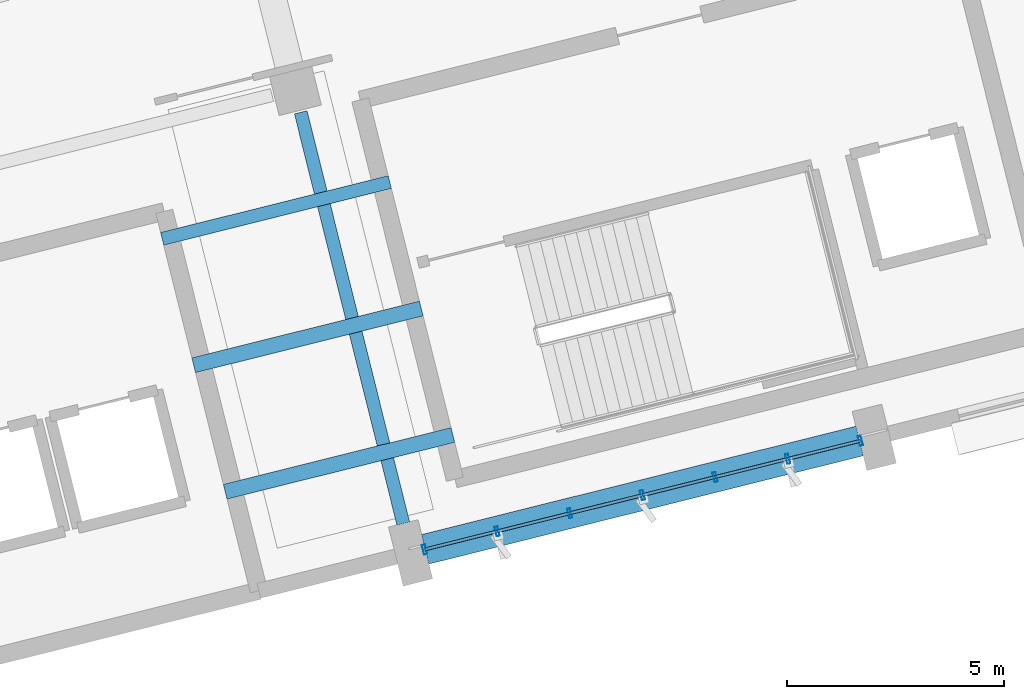
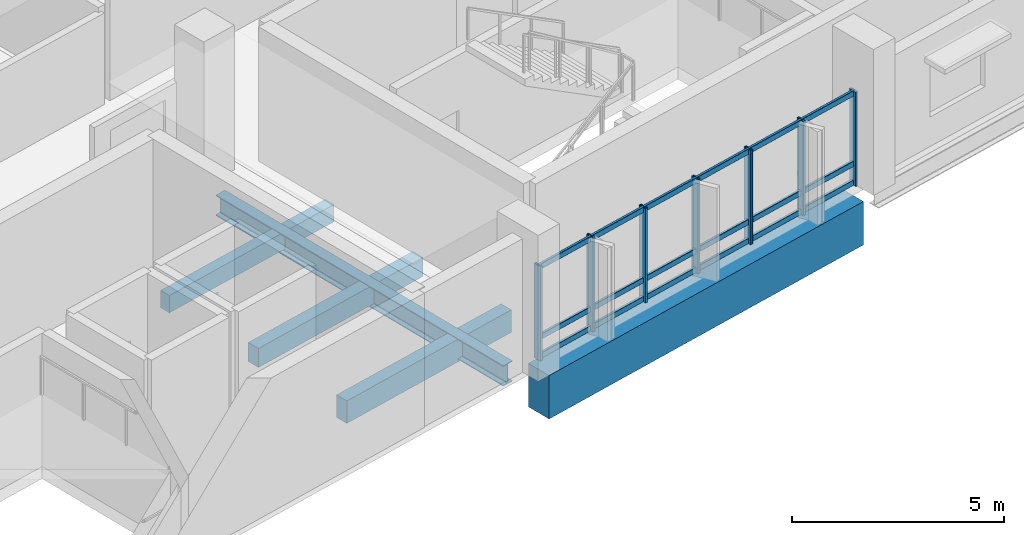
# One storey, part 32 of 75: 25 members, 5 beams, 1 element without a shape of its own.
"""IFC4 building model written with IfcOpenShell, lengths in metres."""

from ifc_helpers import new_model, si_unit, direction, frame, origin, origin_2d, place, context, subcontext, project, spatial, rectangle, hollow_rectangle, i_section, extrude, material, layer, layer_set, material_profile, profile_set, type_object, element, aggregate, save


model = new_model("IFC4")

# Units and contexts
model_context = context("Model", 3, precision=1e-05, world=origin(), true_north=direction((0.0, 1.0)))
body_context = subcontext(model_context, "Body", "Model", "MODEL_VIEW")
ifc_project = project(units=[si_unit("LENGTHUNIT", "METRE"), si_unit("AREAUNIT", "SQUARE_METRE"), si_unit("VOLUMEUNIT", "CUBIC_METRE"), si_unit("PLANEANGLEUNIT", "RADIAN"), si_unit("MASSUNIT", "GRAM", prefix="KILO")], contexts=[model_context])

# Site, building, storey
site_placement = place(None, origin())
site = spatial("IfcSite", under=ifc_project, at=site_placement, CompositionType="ELEMENT")
building_placement = place(site_placement, origin())
building = spatial("IfcBuilding", under=site, at=building_placement, Name="Khorjan Park Terminus", CompositionType="ELEMENT")
storey_placement = place(building_placement, frame((0.0, 0.0, 16.2)))
storey = spatial("IfcBuildingStorey", under=building, at=storey_placement, Name="L03", CompositionType="ELEMENT", Elevation=16.2)

# Beams
ifc_material_1 = material(Name="Steel S355", Category="steel")
ifc_material_profile_1 = material_profile(ifc_material_1, i_section(OverallWidth=0.3, OverallDepth=0.59, WebThickness=0.013, FlangeThickness=0.025, FilletRadius=0.027, at=origin_2d()), Name="HEA 600")
ifc_profile_set_1 = profile_set([ifc_material_profile_1], Name="Steel S355")
beam_type_1 = type_object("IfcBeamType", Name="BM-HEA600", PredefinedType="BEAM", material=ifc_profile_set_1)
beam_1_placement = place(storey_placement, frame((197.8516, 10.6578, -0.645), z_axis=(-0.241915999835, 0.970297196236, 0.0), x_axis=(-0.970297196236, -0.241915999835, 0.0)))
element("IfcBeam", 1, at=beam_1_placement, inside=storey, type_object=beam_type_1, Name="Primary skew-grid floor girder SB-A60 (L03)", PredefinedType="BEAM", context=body_context, shape_type="SweptSolid", body=[
    extrude(i_section(OverallWidth=0.3, OverallDepth=0.59, WebThickness=0.013, FlangeThickness=0.025, FilletRadius=0.027, at=origin_2d()), origin(), (0.0, 0.0, 1.0), 9.76),
])
ifc_material_2 = material(Name="Concrete C40/50", Category="concrete")
ifc_material_profile_2 = material_profile(ifc_material_2, rectangle(XDim=0.7, YDim=1.25, at=origin_2d()), Name="RC 700x1250")
ifc_profile_set_2 = profile_set([ifc_material_profile_2], Name="Concrete C40/50")
beam_type_2 = type_object("IfcBeamType", Name="BM-RC700x1250", PredefinedType="BEAM", material=ifc_profile_set_2)
beam_2_placement = place(storey_placement, frame((198.3545, 10.0669, -0.975), z_axis=(0.970296351811, 0.241919386702, 0.0), x_axis=(-0.241919386702, 0.970296351811, 0.0)))
element("IfcBeam", 2, at=beam_2_placement, inside=storey, type_object=beam_type_2, Name="Primary skew-grid floor girder GB-125 (L03)", PredefinedType="BEAM", context=body_context, shape_type="SweptSolid", body=[
    extrude(rectangle(XDim=0.7, YDim=1.25, at=origin_2d()), origin(), (0.0, 0.0, 1.0), 10.31),
])
ifc_material_profile_3 = material_profile(ifc_material_2, rectangle(XDim=0.3, YDim=0.5, at=origin_2d()), Name="RC 300x500")
ifc_profile_set_3 = profile_set([ifc_material_profile_3], Name="Concrete C40/50")
beam_type_3 = type_object("IfcBeamType", Name="LN-RC300x500", PredefinedType="LINTEL", material=ifc_profile_set_3)
beam_3_placement = place(storey_placement, frame((192.3005, 17.2146, -0.61), z_axis=(0.97029481357, 0.241925556235, 0.0), x_axis=(-0.241925556235, 0.97029481357, 0.0)))
element("IfcBeam", 3, at=beam_3_placement, inside=storey, type_object=beam_type_3, Name="Inter-core coupling lintel beam LN-50 (L03)", PredefinedType="LINTEL", context=body_context, shape_type="SweptSolid", body=[
    extrude(rectangle(XDim=0.3, YDim=0.5, at=origin_2d()), origin(), (0.0, 0.0, 1.0), 5.4),
])
ifc_material_profile_4 = material_profile(ifc_material_2, rectangle(XDim=0.35, YDim=0.55, at=origin_2d()), Name="RC 350x550")
ifc_profile_set_4 = profile_set([ifc_material_profile_4], Name="Concrete C40/50")
beam_type_4 = type_object("IfcBeamType", Name="LN-RC350x550", PredefinedType="LINTEL", material=ifc_profile_set_4)
beam_4_placement = place(storey_placement, frame((193.0263, 14.3037, -0.635), z_axis=(0.97029481357, 0.241925556235, 0.0), x_axis=(-0.241925556235, 0.97029481357, 0.0)))
element("IfcBeam", 4, at=beam_4_placement, inside=storey, type_object=beam_type_4, Name="Inter-core coupling lintel beam LN-55 (L03)", PredefinedType="LINTEL", context=body_context, shape_type="SweptSolid", body=[
    extrude(rectangle(XDim=0.35, YDim=0.55, at=origin_2d()), origin(), (0.0, 0.0, 1.0), 5.4),
])
ifc_material_profile_5 = material_profile(ifc_material_2, rectangle(XDim=0.35, YDim=0.65, at=origin_2d()), Name="RC 350x650")
ifc_profile_set_5 = profile_set([ifc_material_profile_5], Name="Concrete C40/50")
beam_type_5 = type_object("IfcBeamType", Name="LN-RC350x650", PredefinedType="LINTEL", material=ifc_profile_set_5)
beam_5_placement = place(storey_placement, frame((193.752, 11.3928, -0.685), z_axis=(0.97029481357, 0.241925556235, 0.0), x_axis=(-0.241925556235, 0.97029481357, 0.0)))
element("IfcBeam", 5, at=beam_5_placement, inside=storey, type_object=beam_type_5, Name="Inter-core coupling lintel beam LN-65 (L03)", PredefinedType="LINTEL", context=body_context, shape_type="SweptSolid", body=[
    extrude(rectangle(XDim=0.35, YDim=0.65, at=origin_2d()), origin(), (0.0, 0.0, 1.0), 5.4),
])

# Curtain wall, members
ifc_material_3 = material(Name="Anodized Bronze Aluminium", Category="aluminium")
ifc_layer = layer(ifc_material_3, 0.22)
ifc_layer_set = layer_set([ifc_layer], Name="Anodized Bronze Aluminium")
curtain_wall_type = type_object("IfcCurtainWallType", Name="CW-OPS-B", PredefinedType="NOTDEFINED", material=ifc_layer_set)
curtain_wall_placement = place(storey_placement, origin())
curtain_wall = element("IfcCurtainWall", 6, at=curtain_wall_placement, inside=storey, type_object=curtain_wall_type, Name="Unitized curtain wall CW-B (CW-V5-S-L03-B03)", PredefinedType="NOTDEFINED")
ifc_material_profile_6 = material_profile(ifc_material_3, hollow_rectangle(XDim=0.075, YDim=0.225, WallThickness=0.005, InnerFilletRadius=0.005, OuterFilletRadius=0.01, at=origin_2d()), Name="ALM 75x225x5")
ifc_profile_set_6 = profile_set([ifc_material_profile_6], Name="Anodized Bronze Aluminium")
member_type_1 = type_object("IfcMemberType", Name="ML-ALM-225", PredefinedType="MULLION", material=ifc_profile_set_6)
member_1_placement = place(storey_placement, frame((198.3401, 10.0633, -0.035), z_axis=(0.0, 0.0, 1.0), x_axis=(0.970294772494, 0.241925720978, 0.0)))
member_1 = element("IfcMember", 7, at=member_1_placement, type_object=member_type_1, Name="Curtain-wall mullion ML-22 (CW-V5-S-L03-B03-0)", PredefinedType="MULLION", context=body_context, shape_type="SweptSolid", body=[
    extrude(hollow_rectangle(XDim=0.075, YDim=0.225, WallThickness=0.005, InnerFilletRadius=0.005, OuterFilletRadius=0.01, at=origin_2d()), origin(), (0.0, 0.0, 1.0), 2.72),
])
member_2_placement = place(storey_placement, frame((200.0122, 10.4802, -0.035), z_axis=(0.0, 0.0, 1.0), x_axis=(0.970294772494, 0.241925720978, 0.0)))
member_2 = element("IfcMember", 8, at=member_2_placement, type_object=member_type_1, Name="Curtain-wall mullion ML-22 (CW-V5-S-L03-B03-1)", PredefinedType="MULLION", context=body_context, shape_type="SweptSolid", body=[
    extrude(hollow_rectangle(XDim=0.075, YDim=0.225, WallThickness=0.005, InnerFilletRadius=0.005, OuterFilletRadius=0.01, at=origin_2d()), origin(), (0.0, 0.0, 1.0), 2.72),
])
member_3_placement = place(storey_placement, frame((201.6844, 10.8971, -0.035), z_axis=(0.0, 0.0, 1.0), x_axis=(0.970294772494, 0.241925720978, 0.0)))
member_3 = element("IfcMember", 9, at=member_3_placement, type_object=member_type_1, Name="Curtain-wall mullion ML-22 (CW-V5-S-L03-B03-2)", PredefinedType="MULLION", context=body_context, shape_type="SweptSolid", body=[
    extrude(hollow_rectangle(XDim=0.075, YDim=0.225, WallThickness=0.005, InnerFilletRadius=0.005, OuterFilletRadius=0.01, at=origin_2d()), origin(), (0.0, 0.0, 1.0), 2.72),
])
member_4_placement = place(storey_placement, frame((203.3565, 11.314, -0.035), z_axis=(0.0, 0.0, 1.0), x_axis=(0.970294772494, 0.241925720978, 0.0)))
member_4 = element("IfcMember", 10, at=member_4_placement, type_object=member_type_1, Name="Curtain-wall mullion ML-22 (CW-V5-S-L03-B03-3)", PredefinedType="MULLION", context=body_context, shape_type="SweptSolid", body=[
    extrude(hollow_rectangle(XDim=0.075, YDim=0.225, WallThickness=0.005, InnerFilletRadius=0.005, OuterFilletRadius=0.01, at=origin_2d()), origin(), (0.0, 0.0, 1.0), 2.72),
])
member_5_placement = place(storey_placement, frame((205.0286, 11.731, -0.035), z_axis=(0.0, 0.0, 1.0), x_axis=(0.970294772494, 0.241925720978, 0.0)))
member_5 = element("IfcMember", 11, at=member_5_placement, type_object=member_type_1, Name="Curtain-wall mullion ML-22 (CW-V5-S-L03-B03-4)", PredefinedType="MULLION", context=body_context, shape_type="SweptSolid", body=[
    extrude(hollow_rectangle(XDim=0.075, YDim=0.225, WallThickness=0.005, InnerFilletRadius=0.005, OuterFilletRadius=0.01, at=origin_2d()), origin(), (0.0, 0.0, 1.0), 2.72),
])
member_6_placement = place(storey_placement, frame((206.7008, 12.1479, -0.035), z_axis=(0.0, 0.0, 1.0), x_axis=(0.970294772494, 0.241925720978, 0.0)))
member_6 = element("IfcMember", 12, at=member_6_placement, type_object=member_type_1, Name="Curtain-wall mullion ML-22 (CW-V5-S-L03-B03-5)", PredefinedType="MULLION", context=body_context, shape_type="SweptSolid", body=[
    extrude(hollow_rectangle(XDim=0.075, YDim=0.225, WallThickness=0.005, InnerFilletRadius=0.005, OuterFilletRadius=0.01, at=origin_2d()), origin(), (0.0, 0.0, 1.0), 2.72),
])
member_7_placement = place(storey_placement, frame((208.3729, 12.5648, -0.035), z_axis=(0.0, 0.0, 1.0), x_axis=(0.970294772494, 0.241925720978, 0.0)))
member_7 = element("IfcMember", 13, at=member_7_placement, type_object=member_type_1, Name="Curtain-wall mullion ML-22 (CW-V5-S-L03-B03-6)", PredefinedType="MULLION", context=body_context, shape_type="SweptSolid", body=[
    extrude(hollow_rectangle(XDim=0.075, YDim=0.225, WallThickness=0.005, InnerFilletRadius=0.005, OuterFilletRadius=0.01, at=origin_2d()), origin(), (0.0, 0.0, 1.0), 2.72),
])
ifc_material_profile_7 = material_profile(ifc_material_3, hollow_rectangle(XDim=0.07, YDim=0.16, WallThickness=0.004, InnerFilletRadius=0.004, OuterFilletRadius=0.008, at=origin_2d()), Name="ALT 70x160x4")
ifc_profile_set_7 = profile_set([ifc_material_profile_7], Name="Anodized Bronze Aluminium")
member_type_2 = type_object("IfcMemberType", Name="TR-ALT-160", PredefinedType="USERDEFINED", material=ifc_profile_set_7)
member_8_placement = place(storey_placement, frame((198.3401, 10.0633, 0.04), z_axis=(0.970295910649, 0.241921156121, 0.0), x_axis=(-0.241921156121, 0.970295910649, 0.0)))
member_8 = element("IfcMember", 14, at=member_8_placement, type_object=member_type_2, Name="Curtain-wall transom TR-16 (CW-V5-S-L03-B03-0-1)", ObjectType="TRANSOM", PredefinedType="USERDEFINED", context=body_context, shape_type="SweptSolid", body=[
    extrude(hollow_rectangle(XDim=0.07, YDim=0.16, WallThickness=0.004, InnerFilletRadius=0.004, OuterFilletRadius=0.008, at=origin_2d()), origin(), (0.0, 0.0, 1.0), 1.7233),
])
member_9_placement = place(storey_placement, frame((198.3401, 10.0633, 0.583), z_axis=(0.970295910649, 0.241921156121, 0.0), x_axis=(-0.241921156121, 0.970295910649, 0.0)))
member_9 = element("IfcMember", 15, at=member_9_placement, type_object=member_type_2, Name="Curtain-wall transom TR-16 (CW-V5-S-L03-B03-0-2)", ObjectType="TRANSOM", PredefinedType="USERDEFINED", context=body_context, shape_type="SweptSolid", body=[
    extrude(hollow_rectangle(XDim=0.07, YDim=0.16, WallThickness=0.004, InnerFilletRadius=0.004, OuterFilletRadius=0.008, at=origin_2d()), origin(), (0.0, 0.0, 1.0), 1.7233),
])
member_10_placement = place(storey_placement, frame((198.3401, 10.0633, 2.61), z_axis=(0.970295910649, 0.241921156121, 0.0), x_axis=(-0.241921156121, 0.970295910649, 0.0)))
member_10 = element("IfcMember", 16, at=member_10_placement, type_object=member_type_2, Name="Curtain-wall transom TR-16 (CW-V5-S-L03-B03-0-3)", ObjectType="TRANSOM", PredefinedType="USERDEFINED", context=body_context, shape_type="SweptSolid", body=[
    extrude(hollow_rectangle(XDim=0.07, YDim=0.16, WallThickness=0.004, InnerFilletRadius=0.004, OuterFilletRadius=0.008, at=origin_2d()), origin(), (0.0, 0.0, 1.0), 1.7233),
])
member_11_placement = place(storey_placement, frame((200.0122, 10.4802, 0.04), z_axis=(0.970299306534, 0.241907535518, 0.0), x_axis=(-0.241907535518, 0.970299306534, 0.0)))
member_11 = element("IfcMember", 17, at=member_11_placement, type_object=member_type_2, Name="Curtain-wall transom TR-16 (CW-V5-S-L03-B03-1-1)", ObjectType="TRANSOM", PredefinedType="USERDEFINED", context=body_context, shape_type="SweptSolid", body=[
    extrude(hollow_rectangle(XDim=0.07, YDim=0.16, WallThickness=0.004, InnerFilletRadius=0.004, OuterFilletRadius=0.008, at=origin_2d()), origin(), (0.0, 0.0, 1.0), 1.7234),
])
member_12_placement = place(storey_placement, frame((200.0122, 10.4802, 0.583), z_axis=(0.970299306534, 0.241907535518, 0.0), x_axis=(-0.241907535518, 0.970299306534, 0.0)))
member_12 = element("IfcMember", 18, at=member_12_placement, type_object=member_type_2, Name="Curtain-wall transom TR-16 (CW-V5-S-L03-B03-1-2)", ObjectType="TRANSOM", PredefinedType="USERDEFINED", context=body_context, shape_type="SweptSolid", body=[
    extrude(hollow_rectangle(XDim=0.07, YDim=0.16, WallThickness=0.004, InnerFilletRadius=0.004, OuterFilletRadius=0.008, at=origin_2d()), origin(), (0.0, 0.0, 1.0), 1.7234),
])
member_13_placement = place(storey_placement, frame((200.0122, 10.4802, 2.61), z_axis=(0.970299306534, 0.241907535518, 0.0), x_axis=(-0.241907535518, 0.970299306534, 0.0)))
member_13 = element("IfcMember", 19, at=member_13_placement, type_object=member_type_2, Name="Curtain-wall transom TR-16 (CW-V5-S-L03-B03-1-3)", ObjectType="TRANSOM", PredefinedType="USERDEFINED", context=body_context, shape_type="SweptSolid", body=[
    extrude(hollow_rectangle(XDim=0.07, YDim=0.16, WallThickness=0.004, InnerFilletRadius=0.004, OuterFilletRadius=0.008, at=origin_2d()), origin(), (0.0, 0.0, 1.0), 1.7234),
])
member_14_placement = place(storey_placement, frame((201.6844, 10.8971, 0.04), z_axis=(0.970295910649, 0.241921156121, 0.0), x_axis=(-0.241921156121, 0.970295910649, 0.0)))
member_14 = element("IfcMember", 20, at=member_14_placement, type_object=member_type_2, Name="Curtain-wall transom TR-16 (CW-V5-S-L03-B03-2-1)", ObjectType="TRANSOM", PredefinedType="USERDEFINED", context=body_context, shape_type="SweptSolid", body=[
    extrude(hollow_rectangle(XDim=0.07, YDim=0.16, WallThickness=0.004, InnerFilletRadius=0.004, OuterFilletRadius=0.008, at=origin_2d()), origin(), (0.0, 0.0, 1.0), 1.7233),
])
member_15_placement = place(storey_placement, frame((201.6844, 10.8971, 0.583), z_axis=(0.970295910649, 0.241921156121, 0.0), x_axis=(-0.241921156121, 0.970295910649, 0.0)))
member_15 = element("IfcMember", 21, at=member_15_placement, type_object=member_type_2, Name="Curtain-wall transom TR-16 (CW-V5-S-L03-B03-2-2)", ObjectType="TRANSOM", PredefinedType="USERDEFINED", context=body_context, shape_type="SweptSolid", body=[
    extrude(hollow_rectangle(XDim=0.07, YDim=0.16, WallThickness=0.004, InnerFilletRadius=0.004, OuterFilletRadius=0.008, at=origin_2d()), origin(), (0.0, 0.0, 1.0), 1.7233),
])
member_16_placement = place(storey_placement, frame((201.6844, 10.8971, 2.61), z_axis=(0.970295910649, 0.241921156121, 0.0), x_axis=(-0.241921156121, 0.970295910649, 0.0)))
member_16 = element("IfcMember", 22, at=member_16_placement, type_object=member_type_2, Name="Curtain-wall transom TR-16 (CW-V5-S-L03-B03-2-3)", ObjectType="TRANSOM", PredefinedType="USERDEFINED", context=body_context, shape_type="SweptSolid", body=[
    extrude(hollow_rectangle(XDim=0.07, YDim=0.16, WallThickness=0.004, InnerFilletRadius=0.004, OuterFilletRadius=0.008, at=origin_2d()), origin(), (0.0, 0.0, 1.0), 1.7233),
])
member_17_placement = place(storey_placement, frame((203.3565, 11.314, 0.04), z_axis=(0.970282287956, 0.24197578738, 0.0), x_axis=(-0.24197578738, 0.970282287956, 0.0)))
member_17 = element("IfcMember", 23, at=member_17_placement, type_object=member_type_2, Name="Curtain-wall transom TR-16 (CW-V5-S-L03-B03-3-1)", ObjectType="TRANSOM", PredefinedType="USERDEFINED", context=body_context, shape_type="SweptSolid", body=[
    extrude(hollow_rectangle(XDim=0.07, YDim=0.16, WallThickness=0.004, InnerFilletRadius=0.004, OuterFilletRadius=0.008, at=origin_2d()), origin(), (0.0, 0.0, 1.0), 1.7233),
])
member_18_placement = place(storey_placement, frame((203.3565, 11.314, 0.583), z_axis=(0.970282287956, 0.24197578738, 0.0), x_axis=(-0.24197578738, 0.970282287956, 0.0)))
member_18 = element("IfcMember", 24, at=member_18_placement, type_object=member_type_2, Name="Curtain-wall transom TR-16 (CW-V5-S-L03-B03-3-2)", ObjectType="TRANSOM", PredefinedType="USERDEFINED", context=body_context, shape_type="SweptSolid", body=[
    extrude(hollow_rectangle(XDim=0.07, YDim=0.16, WallThickness=0.004, InnerFilletRadius=0.004, OuterFilletRadius=0.008, at=origin_2d()), origin(), (0.0, 0.0, 1.0), 1.7233),
])
member_19_placement = place(storey_placement, frame((203.3565, 11.314, 2.61), z_axis=(0.970282287956, 0.24197578738, 0.0), x_axis=(-0.24197578738, 0.970282287956, 0.0)))
member_19 = element("IfcMember", 25, at=member_19_placement, type_object=member_type_2, Name="Curtain-wall transom TR-16 (CW-V5-S-L03-B03-3-3)", ObjectType="TRANSOM", PredefinedType="USERDEFINED", context=body_context, shape_type="SweptSolid", body=[
    extrude(hollow_rectangle(XDim=0.07, YDim=0.16, WallThickness=0.004, InnerFilletRadius=0.004, OuterFilletRadius=0.008, at=origin_2d()), origin(), (0.0, 0.0, 1.0), 1.7233),
])
member_20_placement = place(storey_placement, frame((205.0286, 11.731, 0.04), z_axis=(0.970299306534, 0.241907535518, 0.0), x_axis=(-0.241907535518, 0.970299306534, 0.0)))
member_20 = element("IfcMember", 26, at=member_20_placement, type_object=member_type_2, Name="Curtain-wall transom TR-16 (CW-V5-S-L03-B03-4-1)", ObjectType="TRANSOM", PredefinedType="USERDEFINED", context=body_context, shape_type="SweptSolid", body=[
    extrude(hollow_rectangle(XDim=0.07, YDim=0.16, WallThickness=0.004, InnerFilletRadius=0.004, OuterFilletRadius=0.008, at=origin_2d()), origin(), (0.0, 0.0, 1.0), 1.7234),
])
member_21_placement = place(storey_placement, frame((205.0286, 11.731, 0.583), z_axis=(0.970299306534, 0.241907535518, 0.0), x_axis=(-0.241907535518, 0.970299306534, 0.0)))
member_21 = element("IfcMember", 27, at=member_21_placement, type_object=member_type_2, Name="Curtain-wall transom TR-16 (CW-V5-S-L03-B03-4-2)", ObjectType="TRANSOM", PredefinedType="USERDEFINED", context=body_context, shape_type="SweptSolid", body=[
    extrude(hollow_rectangle(XDim=0.07, YDim=0.16, WallThickness=0.004, InnerFilletRadius=0.004, OuterFilletRadius=0.008, at=origin_2d()), origin(), (0.0, 0.0, 1.0), 1.7234),
])
member_22_placement = place(storey_placement, frame((205.0286, 11.731, 2.61), z_axis=(0.970299306534, 0.241907535518, 0.0), x_axis=(-0.241907535518, 0.970299306534, 0.0)))
member_22 = element("IfcMember", 28, at=member_22_placement, type_object=member_type_2, Name="Curtain-wall transom TR-16 (CW-V5-S-L03-B03-4-3)", ObjectType="TRANSOM", PredefinedType="USERDEFINED", context=body_context, shape_type="SweptSolid", body=[
    extrude(hollow_rectangle(XDim=0.07, YDim=0.16, WallThickness=0.004, InnerFilletRadius=0.004, OuterFilletRadius=0.008, at=origin_2d()), origin(), (0.0, 0.0, 1.0), 1.7234),
])
member_23_placement = place(storey_placement, frame((206.7008, 12.1479, 0.04), z_axis=(0.970295910649, 0.241921156121, 0.0), x_axis=(-0.241921156121, 0.970295910649, 0.0)))
member_23 = element("IfcMember", 29, at=member_23_placement, type_object=member_type_2, Name="Curtain-wall transom TR-16 (CW-V5-S-L03-B03-5-1)", ObjectType="TRANSOM", PredefinedType="USERDEFINED", context=body_context, shape_type="SweptSolid", body=[
    extrude(hollow_rectangle(XDim=0.07, YDim=0.16, WallThickness=0.004, InnerFilletRadius=0.004, OuterFilletRadius=0.008, at=origin_2d()), origin(), (0.0, 0.0, 1.0), 1.7233),
])
member_24_placement = place(storey_placement, frame((206.7008, 12.1479, 0.583), z_axis=(0.970295910649, 0.241921156121, 0.0), x_axis=(-0.241921156121, 0.970295910649, 0.0)))
member_24 = element("IfcMember", 30, at=member_24_placement, type_object=member_type_2, Name="Curtain-wall transom TR-16 (CW-V5-S-L03-B03-5-2)", ObjectType="TRANSOM", PredefinedType="USERDEFINED", context=body_context, shape_type="SweptSolid", body=[
    extrude(hollow_rectangle(XDim=0.07, YDim=0.16, WallThickness=0.004, InnerFilletRadius=0.004, OuterFilletRadius=0.008, at=origin_2d()), origin(), (0.0, 0.0, 1.0), 1.7233),
])
member_25_placement = place(storey_placement, frame((206.7008, 12.1479, 2.61), z_axis=(0.970295910649, 0.241921156121, 0.0), x_axis=(-0.241921156121, 0.970295910649, 0.0)))
member_25 = element("IfcMember", 31, at=member_25_placement, type_object=member_type_2, Name="Curtain-wall transom TR-16 (CW-V5-S-L03-B03-5-3)", ObjectType="TRANSOM", PredefinedType="USERDEFINED", context=body_context, shape_type="SweptSolid", body=[
    extrude(hollow_rectangle(XDim=0.07, YDim=0.16, WallThickness=0.004, InnerFilletRadius=0.004, OuterFilletRadius=0.008, at=origin_2d()), origin(), (0.0, 0.0, 1.0), 1.7233),
])
aggregate(curtain_wall, [member_1, member_2, member_3, member_4, member_5, member_6, member_7, member_8, member_9, member_10, member_11, member_12, member_13, member_14, member_15, member_16, member_17, member_18, member_19, member_20, member_21, member_22, member_23, member_24, member_25])

save(model, "model.ifc")
